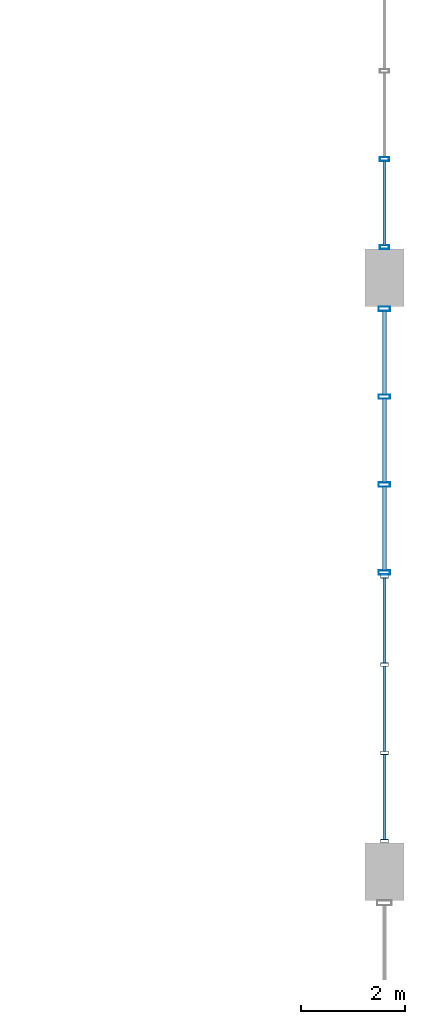
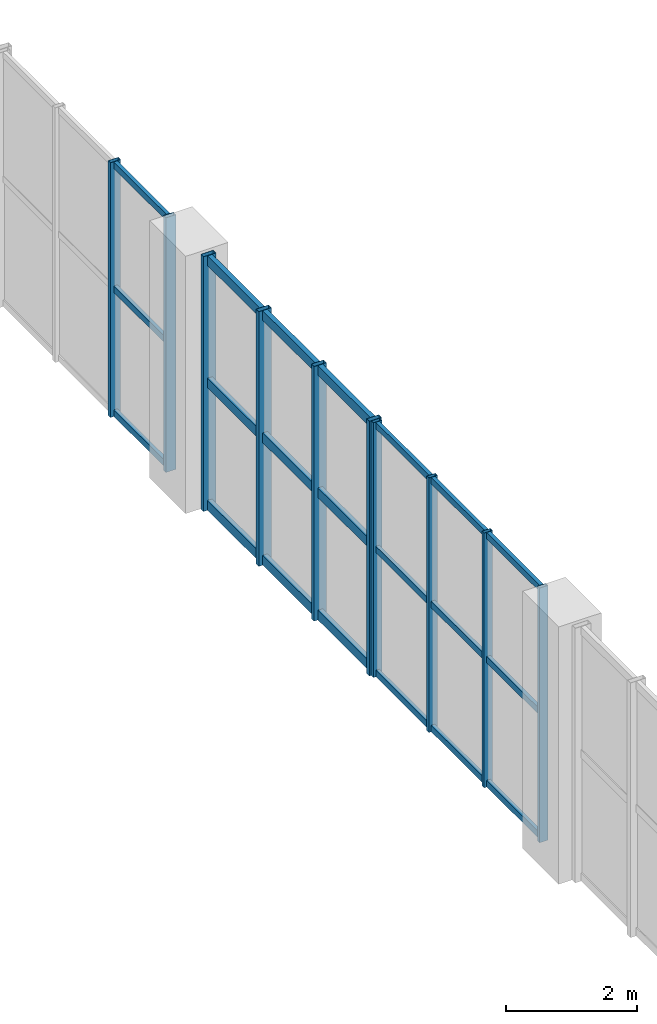
# One storey, part 57 of 106: 31 members, 3 elements without a shape of their own.
"""IFC4 building model written with IfcOpenShell, lengths in metres."""

from ifc_helpers import new_model, si_unit, direction, frame, origin, origin_2d, place, context, subcontext, project, spatial, hollow_rectangle, extrude, material, layer, layer_set, material_profile, profile_set, type_object, element, aggregate, save


model = new_model("IFC4")

# Units and contexts
model_context = context("Model", 3, precision=1e-05, world=origin(), true_north=direction((0.0, 1.0)))
body_context = subcontext(model_context, "Body", "Model", "MODEL_VIEW")
ifc_project = project(units=[si_unit("LENGTHUNIT", "METRE"), si_unit("AREAUNIT", "SQUARE_METRE"), si_unit("VOLUMEUNIT", "CUBIC_METRE"), si_unit("PLANEANGLEUNIT", "RADIAN"), si_unit("MASSUNIT", "GRAM", prefix="KILO"), si_unit("POWERUNIT", "WATT"), si_unit("THERMODYNAMICTEMPERATUREUNIT", "KELVIN")], contexts=[model_context])

# Site, building, storey
site_placement = place(None, origin())
site = spatial("IfcSite", under=ifc_project, at=site_placement, CompositionType="ELEMENT")
building_placement = place(site_placement, origin())
building = spatial("IfcBuilding", under=site, at=building_placement, Name="Kelmbourne Parkland Aquatics Centre", CompositionType="ELEMENT")
storey_placement = place(building_placement, frame((0.0, 0.0, 5.39990234375)))
storey = spatial("IfcBuildingStorey", under=building, at=storey_placement, Name="L01", CompositionType="ELEMENT", Elevation=5.39990234375)

# Curtain wall, members
ifc_material = material(Name="Thermally broken anodised aluminium framing", Category="aluminium")
ifc_layer_1 = layer(ifc_material, 0.179931640625)
ifc_layer_set_1 = layer_set([ifc_layer_1], Name="Thermally broken anodised aluminium framing")
curtain_wall_type_1 = type_object("IfcCurtainWallType", Name="CW-21", PredefinedType="NOTDEFINED", material=ifc_layer_set_1)
curtain_wall_1_placement = place(storey_placement, origin())
curtain_wall_1 = element("IfcCurtainWall", 1, at=curtain_wall_1_placement, inside=storey, type_object=curtain_wall_type_1, Name="Wave-hall clerestory curtain wall CW-L01-045", PredefinedType="NOTDEFINED")
ifc_material_profile_1 = material_profile(ifc_material, hollow_rectangle(XDim=0.06494140625, YDim=0.14990234375, WallThickness=0.00390625, at=origin_2d()), Name="CW-M 65x150")
ifc_profile_set_1 = profile_set([ifc_material_profile_1], Name="Thermally broken anodised aluminium framing")
member_type_1 = type_object("IfcMemberType", Name="MB-MUL-1", PredefinedType="MULLION", material=ifc_profile_set_1)
member_1_placement = place(storey_placement, frame((175.199951171875, 46.984619140625, 0.0), z_axis=(0.0, 0.0, 1.0), x_axis=(0.0, 1.0, 0.0)))
member_1 = element("IfcMember", 2, at=member_1_placement, type_object=member_type_1, Name="CW-L01-045 mullion 0", PredefinedType="MULLION", context=body_context, shape_type="SweptSolid", body=[
    extrude(hollow_rectangle(XDim=0.06494140625, YDim=0.14990234375, WallThickness=0.00390625, at=origin_2d()), origin(), (0.0, 0.0, 1.0), 4.75),
])
member_2_placement = place(storey_placement, frame((175.199951171875, 48.6787109375, 0.0), z_axis=(0.0, 0.0, 1.0), x_axis=(0.0, 1.0, 0.0)))
member_2 = element("IfcMember", 3, at=member_2_placement, type_object=member_type_1, Name="CW-L01-045 mullion 1", PredefinedType="MULLION", context=body_context, shape_type="SweptSolid", body=[
    extrude(hollow_rectangle(XDim=0.06494140625, YDim=0.14990234375, WallThickness=0.00390625, at=origin_2d()), origin(), (0.0, 0.0, 1.0), 4.75),
])
member_3_placement = place(storey_placement, frame((175.199951171875, 50.373291015625, 0.0), z_axis=(0.0, 0.0, 1.0), x_axis=(0.0, 1.0, 0.0)))
member_3 = element("IfcMember", 4, at=member_3_placement, type_object=member_type_1, Name="CW-L01-045 mullion 2", PredefinedType="MULLION", context=body_context, shape_type="SweptSolid", body=[
    extrude(hollow_rectangle(XDim=0.06494140625, YDim=0.14990234375, WallThickness=0.00390625, at=origin_2d()), origin(), (0.0, 0.0, 1.0), 4.75),
])
member_4_placement = place(storey_placement, frame((175.199951171875, 52.0673828125, 0.0), z_axis=(0.0, 0.0, 1.0), x_axis=(0.0, 1.0, 0.0)))
member_4 = element("IfcMember", 5, at=member_4_placement, type_object=member_type_1, Name="CW-L01-045 mullion 3", PredefinedType="MULLION", context=body_context, shape_type="SweptSolid", body=[
    extrude(hollow_rectangle(XDim=0.06494140625, YDim=0.14990234375, WallThickness=0.00390625, at=origin_2d()), origin(), (0.0, 0.0, 1.0), 4.75),
])

ifc_layer_2 = layer(ifc_material, 0.179931640625)
ifc_layer_set_2 = layer_set([ifc_layer_2], Name="Thermally broken anodised aluminium framing")
curtain_wall_type_2 = type_object("IfcCurtainWallType", Name="CW-03", PredefinedType="NOTDEFINED", material=ifc_layer_set_2)
curtain_wall_2_placement = place(storey_placement, origin())
curtain_wall_2 = element("IfcCurtainWall", 6, at=curtain_wall_2_placement, inside=storey, type_object=curtain_wall_type_2, Name="Wave-hall clerestory curtain wall CW-L01-051", PredefinedType="NOTDEFINED")
ifc_material_profile_2 = material_profile(ifc_material, hollow_rectangle(XDim=0.074951171875, YDim=0.179931640625, WallThickness=0.00439453125, at=origin_2d()), Name="CW-M 75x180")
ifc_profile_set_2 = profile_set([ifc_material_profile_2], Name="Thermally broken anodised aluminium framing")
member_type_2 = type_object("IfcMemberType", Name="MB-MUL-2", PredefinedType="MULLION", material=ifc_profile_set_2)
member_5_placement = place(storey_placement, frame((175.199951171875, 58.389404296875, 0.0), z_axis=(0.0, 0.0, 1.0), x_axis=(0.0, 1.0, 0.0)))
member_5 = element("IfcMember", 7, at=member_5_placement, type_object=member_type_2, Name="CW-L01-051 mullion 0", PredefinedType="MULLION", context=body_context, shape_type="SweptSolid", body=[
    extrude(hollow_rectangle(XDim=0.074951171875, YDim=0.179931640625, WallThickness=0.00439453125, at=origin_2d()), origin(), (0.0, 0.0, 1.0), 4.75),
])
member_6_placement = place(storey_placement, frame((175.199951171875, 60.08056640625, 0.0), z_axis=(0.0, 0.0, 1.0), x_axis=(0.0, 1.0, 0.0)))
member_6 = element("IfcMember", 8, at=member_6_placement, type_object=member_type_2, Name="CW-L01-051 mullion 1", PredefinedType="MULLION", context=body_context, shape_type="SweptSolid", body=[
    extrude(hollow_rectangle(XDim=0.074951171875, YDim=0.179931640625, WallThickness=0.00439453125, at=origin_2d()), origin(), (0.0, 0.0, 1.0), 4.75),
])

ifc_layer_3 = layer(ifc_material, 0.179931640625)
ifc_layer_set_3 = layer_set([ifc_layer_3], Name="Thermally broken anodised aluminium framing")
curtain_wall_type_3 = type_object("IfcCurtainWallType", Name="CW-23", PredefinedType="NOTDEFINED", material=ifc_layer_set_3)
curtain_wall_3_placement = place(storey_placement, origin())
curtain_wall_3 = element("IfcCurtainWall", 9, at=curtain_wall_3_placement, inside=storey, type_object=curtain_wall_type_3, Name="Wave-hall clerestory curtain wall CW-L01-047", PredefinedType="NOTDEFINED")
ifc_material_profile_3 = material_profile(ifc_material, hollow_rectangle(XDim=0.0849609375, YDim=0.219970703125, WallThickness=0.0048828125, at=origin_2d()), Name="CW-M 85x220")
ifc_profile_set_3 = profile_set([ifc_material_profile_3], Name="Thermally broken anodised aluminium framing")
member_type_3 = type_object("IfcMemberType", Name="MB-MUL-3", PredefinedType="MULLION", material=ifc_profile_set_3)
member_7_placement = place(storey_placement, frame((175.199951171875, 52.142578125, 0.0), z_axis=(0.0, 0.0, 1.0), x_axis=(0.0, 1.0, 0.0)))
member_7 = element("IfcMember", 10, at=member_7_placement, type_object=member_type_3, Name="CW-L01-047 mullion 0", PredefinedType="MULLION", context=body_context, shape_type="SweptSolid", body=[
    extrude(hollow_rectangle(XDim=0.0849609375, YDim=0.219970703125, WallThickness=0.0048828125, at=origin_2d()), origin(), (0.0, 0.0, 1.0), 4.75),
])
member_8_placement = place(storey_placement, frame((175.199951171875, 53.830078125, 0.0), z_axis=(0.0, 0.0, 1.0), x_axis=(0.0, 1.0, 0.0)))
member_8 = element("IfcMember", 11, at=member_8_placement, type_object=member_type_3, Name="CW-L01-047 mullion 1", PredefinedType="MULLION", context=body_context, shape_type="SweptSolid", body=[
    extrude(hollow_rectangle(XDim=0.0849609375, YDim=0.219970703125, WallThickness=0.0048828125, at=origin_2d()), origin(), (0.0, 0.0, 1.0), 4.75),
])
member_9_placement = place(storey_placement, frame((175.199951171875, 55.517822265625, 0.0), z_axis=(0.0, 0.0, 1.0), x_axis=(0.0, 1.0, 0.0)))
member_9 = element("IfcMember", 12, at=member_9_placement, type_object=member_type_3, Name="CW-L01-047 mullion 2", PredefinedType="MULLION", context=body_context, shape_type="SweptSolid", body=[
    extrude(hollow_rectangle(XDim=0.0849609375, YDim=0.219970703125, WallThickness=0.0048828125, at=origin_2d()), origin(), (0.0, 0.0, 1.0), 4.75),
])
member_10_placement = place(storey_placement, frame((175.199951171875, 57.20556640625, 0.0), z_axis=(0.0, 0.0, 1.0), x_axis=(0.0, 1.0, 0.0)))
member_10 = element("IfcMember", 13, at=member_10_placement, type_object=member_type_3, Name="CW-L01-047 mullion 3", PredefinedType="MULLION", context=body_context, shape_type="SweptSolid", body=[
    extrude(hollow_rectangle(XDim=0.0849609375, YDim=0.219970703125, WallThickness=0.0048828125, at=origin_2d()), origin(), (0.0, 0.0, 1.0), 4.75),
])

# Member
ifc_material_profile_4 = material_profile(ifc_material, hollow_rectangle(XDim=0.06494140625, YDim=0.1201171875, WallThickness=0.00341796875, at=origin_2d()), Name="CW-T 65x120")
ifc_profile_set_4 = profile_set([ifc_material_profile_4], Name="Thermally broken anodised aluminium framing")
member_type_4 = type_object("IfcMemberType", Name="MB-TRN-1", PredefinedType="USERDEFINED", material=ifc_profile_set_4)
member_11_placement = place(storey_placement, frame((175.199951171875, 47.012939453125, 0.06298828125), z_axis=(0.0, 1.0, 0.0), x_axis=(-1.0, 0.0, 0.0)))
member_11 = element("IfcMember", 14, at=member_11_placement, type_object=member_type_4, Name="CW-L01-045 transom 0-0", ObjectType="TRANSOM", PredefinedType="USERDEFINED", context=body_context, shape_type="SweptSolid", body=[
    extrude(hollow_rectangle(XDim=0.06494140625, YDim=0.1201171875, WallThickness=0.00341796875, at=origin_2d()), origin(), (0.0, 0.0, 1.0), 1.637451171875),
])

member_12_placement = place(storey_placement, frame((175.199951171875, 48.707275390625, 0.06298828125), z_axis=(0.0, 1.0, 0.0), x_axis=(-1.0, 0.0, 0.0)))
member_12 = element("IfcMember", 15, at=member_12_placement, type_object=member_type_4, Name="CW-L01-045 transom 0-1", ObjectType="TRANSOM", PredefinedType="USERDEFINED", context=body_context, shape_type="SweptSolid", body=[
    extrude(hollow_rectangle(XDim=0.06494140625, YDim=0.1201171875, WallThickness=0.00341796875, at=origin_2d()), origin(), (0.0, 0.0, 1.0), 1.637451171875),
])

member_13_placement = place(storey_placement, frame((175.199951171875, 50.401611328125, 0.06298828125), z_axis=(0.0, 1.0, 0.0), x_axis=(-1.0, 0.0, 0.0)))
member_13 = element("IfcMember", 16, at=member_13_placement, type_object=member_type_4, Name="CW-L01-045 transom 0-2", ObjectType="TRANSOM", PredefinedType="USERDEFINED", context=body_context, shape_type="SweptSolid", body=[
    extrude(hollow_rectangle(XDim=0.06494140625, YDim=0.1201171875, WallThickness=0.00341796875, at=origin_2d()), origin(), (0.0, 0.0, 1.0), 1.637451171875),
])

member_14_placement = place(storey_placement, frame((175.199951171875, 47.012939453125, 2.375), z_axis=(0.0, 1.0, 0.0), x_axis=(-1.0, 0.0, 0.0)))
member_14 = element("IfcMember", 17, at=member_14_placement, type_object=member_type_4, Name="CW-L01-045 transom 1-0", ObjectType="TRANSOM", PredefinedType="USERDEFINED", context=body_context, shape_type="SweptSolid", body=[
    extrude(hollow_rectangle(XDim=0.06494140625, YDim=0.1201171875, WallThickness=0.00341796875, at=origin_2d()), origin(), (0.0, 0.0, 1.0), 1.637451171875),
])

member_15_placement = place(storey_placement, frame((175.199951171875, 48.707275390625, 2.375), z_axis=(0.0, 1.0, 0.0), x_axis=(-1.0, 0.0, 0.0)))
member_15 = element("IfcMember", 18, at=member_15_placement, type_object=member_type_4, Name="CW-L01-045 transom 1-1", ObjectType="TRANSOM", PredefinedType="USERDEFINED", context=body_context, shape_type="SweptSolid", body=[
    extrude(hollow_rectangle(XDim=0.06494140625, YDim=0.1201171875, WallThickness=0.00341796875, at=origin_2d()), origin(), (0.0, 0.0, 1.0), 1.637451171875),
])

member_16_placement = place(storey_placement, frame((175.199951171875, 50.401611328125, 2.375), z_axis=(0.0, 1.0, 0.0), x_axis=(-1.0, 0.0, 0.0)))
member_16 = element("IfcMember", 19, at=member_16_placement, type_object=member_type_4, Name="CW-L01-045 transom 1-2", ObjectType="TRANSOM", PredefinedType="USERDEFINED", context=body_context, shape_type="SweptSolid", body=[
    extrude(hollow_rectangle(XDim=0.06494140625, YDim=0.1201171875, WallThickness=0.00341796875, at=origin_2d()), origin(), (0.0, 0.0, 1.0), 1.637451171875),
])

member_17_placement = place(storey_placement, frame((175.199951171875, 47.012939453125, 4.68701171875), z_axis=(0.0, 1.0, 0.0), x_axis=(-1.0, 0.0, 0.0)))
member_17 = element("IfcMember", 20, at=member_17_placement, type_object=member_type_4, Name="CW-L01-045 transom 2-0", ObjectType="TRANSOM", PredefinedType="USERDEFINED", context=body_context, shape_type="SweptSolid", body=[
    extrude(hollow_rectangle(XDim=0.06494140625, YDim=0.1201171875, WallThickness=0.00341796875, at=origin_2d()), origin(), (0.0, 0.0, 1.0), 1.637451171875),
])

member_18_placement = place(storey_placement, frame((175.199951171875, 48.707275390625, 4.68701171875), z_axis=(0.0, 1.0, 0.0), x_axis=(-1.0, 0.0, 0.0)))
member_18 = element("IfcMember", 21, at=member_18_placement, type_object=member_type_4, Name="CW-L01-045 transom 2-1", ObjectType="TRANSOM", PredefinedType="USERDEFINED", context=body_context, shape_type="SweptSolid", body=[
    extrude(hollow_rectangle(XDim=0.06494140625, YDim=0.1201171875, WallThickness=0.00341796875, at=origin_2d()), origin(), (0.0, 0.0, 1.0), 1.637451171875),
])

member_19_placement = place(storey_placement, frame((175.199951171875, 50.401611328125, 4.68701171875), z_axis=(0.0, 1.0, 0.0), x_axis=(-1.0, 0.0, 0.0)))
member_19 = element("IfcMember", 22, at=member_19_placement, type_object=member_type_4, Name="CW-L01-045 transom 2-2", ObjectType="TRANSOM", PredefinedType="USERDEFINED", context=body_context, shape_type="SweptSolid", body=[
    extrude(hollow_rectangle(XDim=0.06494140625, YDim=0.1201171875, WallThickness=0.00341796875, at=origin_2d()), origin(), (0.0, 0.0, 1.0), 1.637451171875),
])

aggregate(curtain_wall_1, [member_1, member_2, member_3, member_4, member_11, member_12, member_13, member_14, member_15, member_16, member_17, member_18, member_19])

member_20_placement = place(storey_placement, frame((175.199951171875, 58.423095703125, 0.06298828125), z_axis=(0.0, 1.0, 0.0), x_axis=(-1.0, 0.0, 0.0)))
member_20 = element("IfcMember", 23, at=member_20_placement, type_object=member_type_4, Name="CW-L01-051 transom 0-0", ObjectType="TRANSOM", PredefinedType="USERDEFINED", context=body_context, shape_type="SweptSolid", body=[
    extrude(hollow_rectangle(XDim=0.06494140625, YDim=0.1201171875, WallThickness=0.00341796875, at=origin_2d()), origin(), (0.0, 0.0, 1.0), 1.6240234375),
])

member_21_placement = place(storey_placement, frame((175.199951171875, 58.423095703125, 2.375), z_axis=(0.0, 1.0, 0.0), x_axis=(-1.0, 0.0, 0.0)))
member_21 = element("IfcMember", 24, at=member_21_placement, type_object=member_type_4, Name="CW-L01-051 transom 1-0", ObjectType="TRANSOM", PredefinedType="USERDEFINED", context=body_context, shape_type="SweptSolid", body=[
    extrude(hollow_rectangle(XDim=0.06494140625, YDim=0.1201171875, WallThickness=0.00341796875, at=origin_2d()), origin(), (0.0, 0.0, 1.0), 1.6240234375),
])

member_22_placement = place(storey_placement, frame((175.199951171875, 58.423095703125, 4.68701171875), z_axis=(0.0, 1.0, 0.0), x_axis=(-1.0, 0.0, 0.0)))
member_22 = element("IfcMember", 25, at=member_22_placement, type_object=member_type_4, Name="CW-L01-051 transom 2-0", ObjectType="TRANSOM", PredefinedType="USERDEFINED", context=body_context, shape_type="SweptSolid", body=[
    extrude(hollow_rectangle(XDim=0.06494140625, YDim=0.1201171875, WallThickness=0.00341796875, at=origin_2d()), origin(), (0.0, 0.0, 1.0), 1.6240234375),
])

aggregate(curtain_wall_2, [member_5, member_6, member_20, member_21, member_22])

ifc_material_profile_5 = material_profile(ifc_material, hollow_rectangle(XDim=0.0849609375, YDim=0.179931640625, WallThickness=0.00439453125, at=origin_2d()), Name="CW-T 85x180")
ifc_profile_set_5 = profile_set([ifc_material_profile_5], Name="Thermally broken anodised aluminium framing")
member_type_5 = type_object("IfcMemberType", Name="MB-TRN-3", PredefinedType="USERDEFINED", material=ifc_profile_set_5)
member_23_placement = place(storey_placement, frame((175.199951171875, 52.180908203125, 0.093017578125), z_axis=(0.0, 1.0, 0.0), x_axis=(-1.0, 0.0, 0.0)))
member_23 = element("IfcMember", 26, at=member_23_placement, type_object=member_type_5, Name="CW-L01-047 transom 0-0", ObjectType="TRANSOM", PredefinedType="USERDEFINED", context=body_context, shape_type="SweptSolid", body=[
    extrude(hollow_rectangle(XDim=0.0849609375, YDim=0.179931640625, WallThickness=0.00439453125, at=origin_2d()), origin(), (0.0, 0.0, 1.0), 1.61083984375),
])

member_24_placement = place(storey_placement, frame((175.199951171875, 53.86865234375, 0.093017578125), z_axis=(0.0, 1.0, 0.0), x_axis=(-1.0, 0.0, 0.0)))
member_24 = element("IfcMember", 27, at=member_24_placement, type_object=member_type_5, Name="CW-L01-047 transom 0-1", ObjectType="TRANSOM", PredefinedType="USERDEFINED", context=body_context, shape_type="SweptSolid", body=[
    extrude(hollow_rectangle(XDim=0.0849609375, YDim=0.179931640625, WallThickness=0.00439453125, at=origin_2d()), origin(), (0.0, 0.0, 1.0), 1.610595703125),
])

member_25_placement = place(storey_placement, frame((175.199951171875, 55.556396484375, 0.093017578125), z_axis=(0.0, 1.0, 0.0), x_axis=(-1.0, 0.0, 0.0)))
member_25 = element("IfcMember", 28, at=member_25_placement, type_object=member_type_5, Name="CW-L01-047 transom 0-2", ObjectType="TRANSOM", PredefinedType="USERDEFINED", context=body_context, shape_type="SweptSolid", body=[
    extrude(hollow_rectangle(XDim=0.0849609375, YDim=0.179931640625, WallThickness=0.00439453125, at=origin_2d()), origin(), (0.0, 0.0, 1.0), 1.610595703125),
])

member_26_placement = place(storey_placement, frame((175.199951171875, 52.180908203125, 2.375), z_axis=(0.0, 1.0, 0.0), x_axis=(-1.0, 0.0, 0.0)))
member_26 = element("IfcMember", 29, at=member_26_placement, type_object=member_type_5, Name="CW-L01-047 transom 1-0", ObjectType="TRANSOM", PredefinedType="USERDEFINED", context=body_context, shape_type="SweptSolid", body=[
    extrude(hollow_rectangle(XDim=0.0849609375, YDim=0.179931640625, WallThickness=0.00439453125, at=origin_2d()), origin(), (0.0, 0.0, 1.0), 1.61083984375),
])

member_27_placement = place(storey_placement, frame((175.199951171875, 53.86865234375, 2.375), z_axis=(0.0, 1.0, 0.0), x_axis=(-1.0, 0.0, 0.0)))
member_27 = element("IfcMember", 30, at=member_27_placement, type_object=member_type_5, Name="CW-L01-047 transom 1-1", ObjectType="TRANSOM", PredefinedType="USERDEFINED", context=body_context, shape_type="SweptSolid", body=[
    extrude(hollow_rectangle(XDim=0.0849609375, YDim=0.179931640625, WallThickness=0.00439453125, at=origin_2d()), origin(), (0.0, 0.0, 1.0), 1.610595703125),
])

member_28_placement = place(storey_placement, frame((175.199951171875, 55.556396484375, 2.375), z_axis=(0.0, 1.0, 0.0), x_axis=(-1.0, 0.0, 0.0)))
member_28 = element("IfcMember", 31, at=member_28_placement, type_object=member_type_5, Name="CW-L01-047 transom 1-2", ObjectType="TRANSOM", PredefinedType="USERDEFINED", context=body_context, shape_type="SweptSolid", body=[
    extrude(hollow_rectangle(XDim=0.0849609375, YDim=0.179931640625, WallThickness=0.00439453125, at=origin_2d()), origin(), (0.0, 0.0, 1.0), 1.610595703125),
])

member_29_placement = place(storey_placement, frame((175.199951171875, 52.180908203125, 4.656982421875), z_axis=(0.0, 1.0, 0.0), x_axis=(-1.0, 0.0, 0.0)))
member_29 = element("IfcMember", 32, at=member_29_placement, type_object=member_type_5, Name="CW-L01-047 transom 2-0", ObjectType="TRANSOM", PredefinedType="USERDEFINED", context=body_context, shape_type="SweptSolid", body=[
    extrude(hollow_rectangle(XDim=0.0849609375, YDim=0.179931640625, WallThickness=0.00439453125, at=origin_2d()), origin(), (0.0, 0.0, 1.0), 1.61083984375),
])

member_30_placement = place(storey_placement, frame((175.199951171875, 53.86865234375, 4.656982421875), z_axis=(0.0, 1.0, 0.0), x_axis=(-1.0, 0.0, 0.0)))
member_30 = element("IfcMember", 33, at=member_30_placement, type_object=member_type_5, Name="CW-L01-047 transom 2-1", ObjectType="TRANSOM", PredefinedType="USERDEFINED", context=body_context, shape_type="SweptSolid", body=[
    extrude(hollow_rectangle(XDim=0.0849609375, YDim=0.179931640625, WallThickness=0.00439453125, at=origin_2d()), origin(), (0.0, 0.0, 1.0), 1.610595703125),
])

member_31_placement = place(storey_placement, frame((175.199951171875, 55.556396484375, 4.656982421875), z_axis=(0.0, 1.0, 0.0), x_axis=(-1.0, 0.0, 0.0)))
member_31 = element("IfcMember", 34, at=member_31_placement, type_object=member_type_5, Name="CW-L01-047 transom 2-2", ObjectType="TRANSOM", PredefinedType="USERDEFINED", context=body_context, shape_type="SweptSolid", body=[
    extrude(hollow_rectangle(XDim=0.0849609375, YDim=0.179931640625, WallThickness=0.00439453125, at=origin_2d()), origin(), (0.0, 0.0, 1.0), 1.610595703125),
])

aggregate(curtain_wall_3, [member_7, member_8, member_9, member_10, member_23, member_24, member_25, member_26, member_27, member_28, member_29, member_30, member_31])

save(model, "model.ifc")
